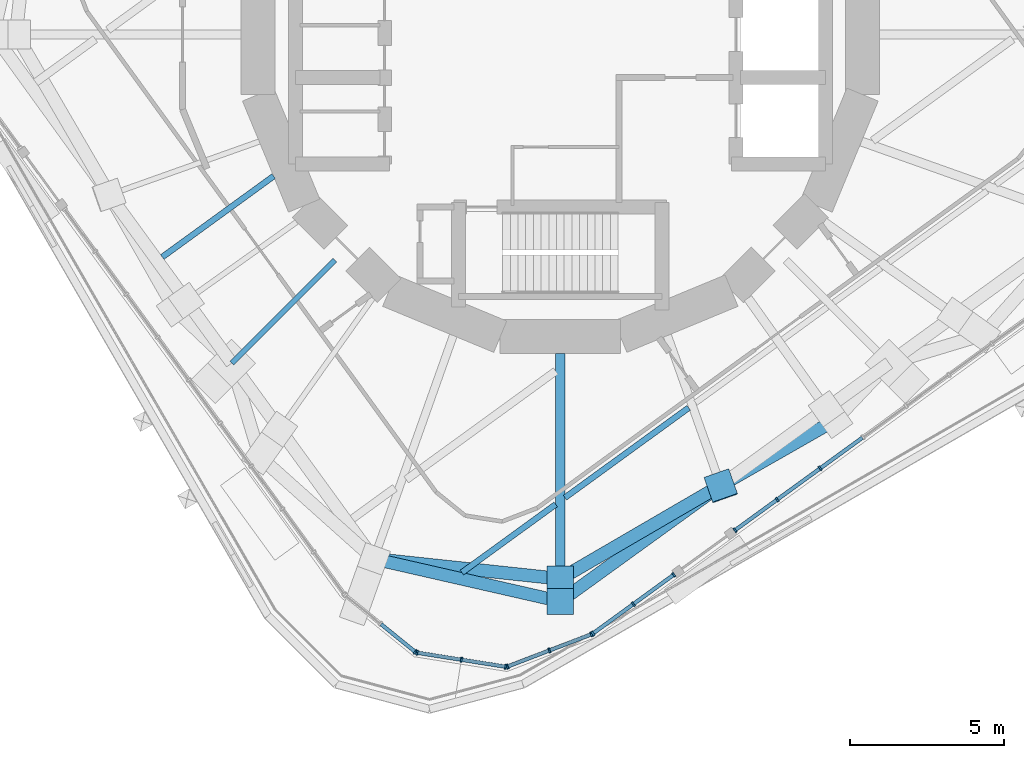
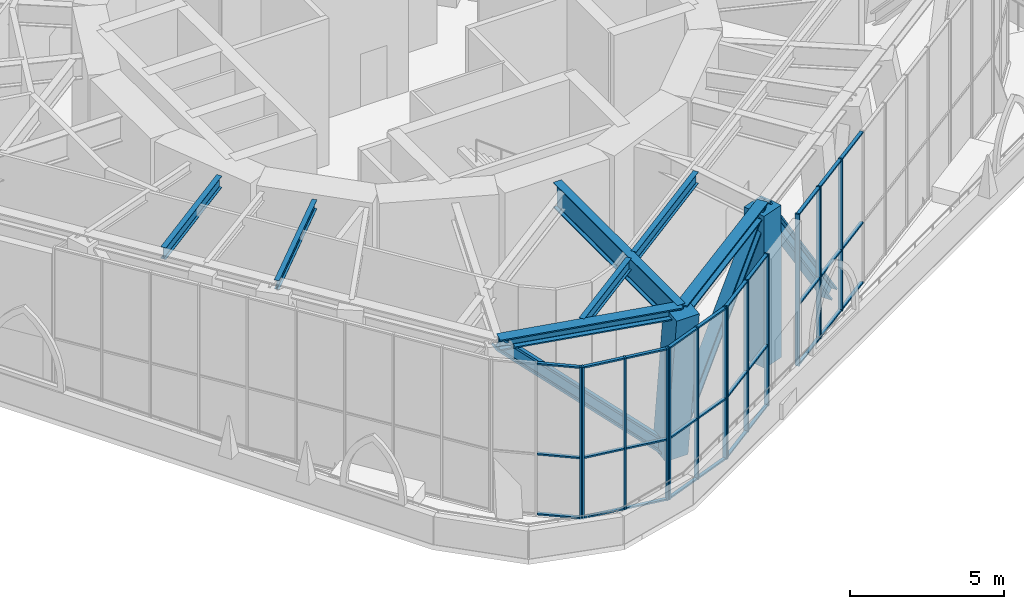
# One storey, part 2 of 18: 50 members, 5 beams, 5 elements without a shape of their own.
"""IFC4 building model written with IfcOpenShell, lengths in metres."""

from ifc_helpers import new_model, si_unit, direction, frame, origin, origin_2d, place, context, subcontext, project, spatial, rectangle, i_section, extrude, material, material_profile, profile_set, type_object, element, aggregate, save


model = new_model("IFC4")

# Units and contexts
model_context = context("Model", 3, precision=1e-05, world=origin(), true_north=direction((0.0, 1.0)))
body_context = subcontext(model_context, "Body", "Model", "MODEL_VIEW")
ifc_project = project(units=[si_unit("LENGTHUNIT", "METRE"), si_unit("AREAUNIT", "SQUARE_METRE"), si_unit("VOLUMEUNIT", "CUBIC_METRE"), si_unit("PLANEANGLEUNIT", "RADIAN"), si_unit("MASSUNIT", "GRAM", prefix="KILO")], contexts=[model_context])

# Site, building, storey
site_placement = place(None, origin())
site = spatial("IfcSite", under=ifc_project, at=site_placement, CompositionType="ELEMENT")
building_placement = place(site_placement, origin())
building = spatial("IfcBuilding", under=site, at=building_placement, Name="Nakasero Lantern House", CompositionType="ELEMENT")
storey_placement = place(building_placement, frame((0.0, 0.0, 257.75)))
storey = spatial("IfcBuildingStorey", under=building, at=storey_placement, Name="L63", CompositionType="ELEMENT", Elevation=257.75)

# Members
ifc_material_1 = material(Name="Steel S355", Category="steel")
ifc_material_profile_1 = material_profile(ifc_material_1, i_section(OverallWidth=0.406982421875, OverallDepth=0.4189453125, WebThickness=0.030517578125, FlangeThickness=0.04931640625, FilletRadius=0.01513671875, at=origin_2d()), Name="UC 356x406x393")
ifc_profile_set_1 = profile_set([ifc_material_profile_1], Name="Steel S355")
member_type_1 = type_object("IfcMemberType", Name="Belt truss chord UC 356x406x393", PredefinedType="CHORD", material=ifc_profile_set_1)
member_1_placement = place(storey_placement, frame((-6.051513671875, -17.02001953125, 5.590576171875), z_axis=(0.974974575944, -0.222316387753, 0.0), x_axis=(0.222316387753, 0.974974575944, 0.0)))
element("IfcMember", 1, at=member_1_placement, inside=storey, type_object=member_type_1, Name="Belt truss top chord T6 B7-C20T", PredefinedType="CHORD", context=body_context, shape_type="SweptSolid", body=[
    extrude(i_section(OverallWidth=0.406982421875, OverallDepth=0.4189453125, WebThickness=0.030517578125, FlangeThickness=0.04931640625, FilletRadius=0.01513671875, at=origin_2d()), origin(), (0.0, 0.0, 1.0), 6.206787109375),
])
member_2_placement = place(storey_placement, frame((0.0, -18.39990234375, 5.590576171875), z_axis=(0.810316200404, 0.58599287996, 0.0), x_axis=(-0.58599287996, 0.810316200404, 0.0)))
element("IfcMember", 2, at=member_2_placement, inside=storey, type_object=member_type_1, Name="Belt truss top chord T6 B7-C21T", PredefinedType="CHORD", context=body_context, shape_type="SweptSolid", body=[
    extrude(i_section(OverallWidth=0.406982421875, OverallDepth=0.4189453125, WebThickness=0.030517578125, FlangeThickness=0.04931640625, FilletRadius=0.01513671875, at=origin_2d()), origin(), (0.0, 0.0, 1.0), 6.42236328125),
])
ifc_material_2 = material(Name="Steel S355", Category="steel")
ifc_material_profile_2 = material_profile(ifc_material_2, i_section(OverallWidth=0.41845703125, OverallDepth=0.45556640625, WebThickness=0.0419921875, FlangeThickness=0.0673828125, FilletRadius=0.01513671875, at=origin_2d()), Name="UC 356x406x551")
ifc_profile_set_2 = profile_set([ifc_material_profile_2], Name="Steel S355")
member_type_2 = type_object("IfcMemberType", Name="Belt truss diagonal UC 356x406x551", PredefinedType="BRACE", material=ifc_profile_set_2)
member_3_placement = place(storey_placement, frame((-6.051513671875, -17.02001953125, 5.590576171875), z_axis=(0.708085084226, -0.075701999968, -0.702057491021), x_axis=(0.106305076727, 0.994333561066, 0.0)))
element("IfcMember", 3, at=member_3_placement, inside=storey, type_object=member_type_2, Name="Belt truss diagonal T6-20", PredefinedType="BRACE", context=body_context, shape_type="SweptSolid", body=[
    extrude(i_section(OverallWidth=0.41845703125, OverallDepth=0.45556640625, WebThickness=0.0419921875, FlangeThickness=0.0673828125, FilletRadius=0.01513671875, at=origin_2d()), origin(), (0.0, 0.0, 1.0), 8.54638671875),
])
member_4_placement = place(storey_placement, frame((0.0, -17.6669921875, -0.409423828125), z_axis=(0.612176455145, 0.356490257915, 0.705800739428), x_axis=(-0.503225602442, 0.864155074652, 0.0)))
element("IfcMember", 4, at=member_4_placement, inside=storey, type_object=member_type_2, Name="Belt truss diagonal T6-21", PredefinedType="BRACE", context=body_context, shape_type="SweptSolid", body=[
    extrude(i_section(OverallWidth=0.41845703125, OverallDepth=0.45556640625, WebThickness=0.0419921875, FlangeThickness=0.0673828125, FilletRadius=0.01513671875, at=origin_2d()), origin(), (0.0, 0.0, 1.0), 8.5009765625),
])
member_5_placement = place(storey_placement, frame((5.2041015625, -14.636474609375, 5.590576171875), z_axis=(0.503052316846, 0.286937193585, -0.815233349081), x_axis=(-0.495460255243, 0.868630609336, 0.0)))
element("IfcMember", 5, at=member_5_placement, inside=storey, type_object=member_type_2, Name="Belt truss diagonal T6-22", PredefinedType="BRACE", context=body_context, shape_type="SweptSolid", body=[
    extrude(i_section(OverallWidth=0.41845703125, OverallDepth=0.45556640625, WebThickness=0.0419921875, FlangeThickness=0.0673828125, FilletRadius=0.01513671875, at=origin_2d()), origin(), (0.0, 0.0, 1.0), 7.35986328125),
])

# Beams
ifc_material_3 = material(Name="Steel S355", Category="steel")
ifc_material_profile_3 = material_profile(ifc_material_3, i_section(OverallWidth=0.19140625, OverallDepth=0.4599609375, WebThickness=0.010009765625, FlangeThickness=0.01611328125, FilletRadius=0.01025390625, at=origin_2d()), Name="UB 457x191x82")
ifc_profile_set_3 = profile_set([ifc_material_profile_3], Name="Steel S355")
beam_type_1 = type_object("IfcBeamType", Name="Infill beam UB 457x191x82", PredefinedType="JOIST", material=ifc_profile_set_3)
beam_1_placement = place(storey_placement, frame((-3.194580078125, -17.462890625, 5.570068359375), z_axis=(0.809008105929, 0.587797485994, 0.0), x_axis=(-0.587797485994, 0.809008105929, 0.0)))
element("IfcBeam", 6, at=beam_1_placement, inside=storey, type_object=beam_type_1, Name="Infill beam L64 03.1", PredefinedType="JOIST", context=body_context, shape_type="SweptSolid", body=[
    extrude(i_section(OverallWidth=0.19140625, OverallDepth=0.4599609375, WebThickness=0.010009765625, FlangeThickness=0.01611328125, FilletRadius=0.01025390625, at=origin_2d()), origin(), (0.0, 0.0, 1.0), 3.763427734375),
])
beam_2_placement = place(storey_placement, frame((0.14990234375, -15.032958984375, 5.570068359375), z_axis=(0.809008214696, 0.587797336294, 0.0), x_axis=(-0.587797336294, 0.809008214696, 0.0)))
element("IfcBeam", 7, at=beam_2_placement, inside=storey, type_object=beam_type_1, Name="Infill beam L64 03.2", PredefinedType="JOIST", context=body_context, shape_type="SweptSolid", body=[
    extrude(i_section(OverallWidth=0.19140625, OverallDepth=0.4599609375, WebThickness=0.010009765625, FlangeThickness=0.01611328125, FilletRadius=0.01025390625, at=origin_2d()), origin(), (0.0, 0.0, 1.0), 4.96435546875),
])
beam_3_placement = place(storey_placement, frame((-12.91845703125, -7.22265625, 5.570068359375), z_axis=(0.809022109162, 0.587778212327, 0.0), x_axis=(-0.587778212327, 0.809022109162, 0.0)))
element("IfcBeam", 8, at=beam_3_placement, inside=storey, type_object=beam_type_1, Name="Infill beam L64 07.1", PredefinedType="JOIST", context=body_context, shape_type="SweptSolid", body=[
    extrude(i_section(OverallWidth=0.19140625, OverallDepth=0.4599609375, WebThickness=0.010009765625, FlangeThickness=0.01611328125, FilletRadius=0.01025390625, at=origin_2d()), origin(), (0.0, 0.0, 1.0), 4.46484375),
])

# Curtain wall, member
ifc_material_4 = material(Name="Aluminium 6063-T6 and glass", Category="aluminium")
curtain_wall_type = type_object("IfcCurtainWallType", Name="Sky lounge glazing CW-3", PredefinedType="USERDEFINED", material=ifc_material_4)
curtain_wall_1_placement = place(storey_placement, origin())
curtain_wall_1 = element("IfcCurtainWall", 9, at=curtain_wall_1_placement, inside=storey, type_object=curtain_wall_type, Name="Curtain wall CW-3 L63", ObjectType="STICK CURTAIN WALL", PredefinedType="USERDEFINED")
ifc_material_5 = material(Name="Aluminium 6063-T6", Category="aluminium")
ifc_material_profile_4 = material_profile(ifc_material_5, rectangle(XDim=0.06005859375, YDim=0.159912109375, at=origin_2d()), Name="CW-3 mullion 60x160")
ifc_profile_set_4 = profile_set([ifc_material_profile_4], Name="Aluminium 6063-T6")
member_type_3 = type_object("IfcMemberType", Name="Mullion CW-3", PredefinedType="MULLION", material=ifc_profile_set_4)
member_6_placement = place(storey_placement, frame((-4.70703125, -20.0400390625, 0.0), z_axis=(0.0, 0.0, 1.0), x_axis=(0.777145961457, -0.62932039105, 0.0)))
member_6 = element("IfcMember", 10, at=member_6_placement, type_object=member_type_3, Name="CW-3 mullion 3", PredefinedType="MULLION", context=body_context, shape_type="SweptSolid", body=[
    extrude(rectangle(XDim=0.06005859375, YDim=0.159912109375, at=origin_2d()), origin(), (0.0, 0.0, 1.0), 6.0),
])

# Curtain wall, members
curtain_wall_2_placement = place(storey_placement, origin())
curtain_wall_2 = element("IfcCurtainWall", 11, at=curtain_wall_2_placement, inside=storey, type_object=curtain_wall_type, Name="Curtain wall CW-3 L63", ObjectType="STICK CURTAIN WALL", PredefinedType="USERDEFINED")
member_7_placement = place(storey_placement, frame((-4.654052734375, -20.063720703125, 0.0), z_axis=(0.0, 0.0, 1.0), x_axis=(0.987688340595, -0.15643446504, 0.0)))
member_7 = element("IfcMember", 12, at=member_7_placement, type_object=member_type_3, Name="CW-3 mullion 1", PredefinedType="MULLION", context=body_context, shape_type="SweptSolid", body=[
    extrude(rectangle(XDim=0.06005859375, YDim=0.159912109375, at=origin_2d()), origin(), (0.0, 0.0, 1.0), 6.0),
])
member_8_placement = place(storey_placement, frame((-3.2138671875, -20.291748046875, 0.0), z_axis=(0.0, 0.0, 1.0), x_axis=(0.987688340595, -0.15643446504, 0.0)))
member_8 = element("IfcMember", 13, at=member_8_placement, type_object=member_type_3, Name="CW-3 mullion 2", PredefinedType="MULLION", context=body_context, shape_type="SweptSolid", body=[
    extrude(rectangle(XDim=0.06005859375, YDim=0.159912109375, at=origin_2d()), origin(), (0.0, 0.0, 1.0), 6.0),
])
member_9_placement = place(storey_placement, frame((-1.773681640625, -20.52001953125, 0.0), z_axis=(0.0, 0.0, 1.0), x_axis=(0.987688340595, -0.15643446504, 0.0)))
member_9 = element("IfcMember", 14, at=member_9_placement, type_object=member_type_3, Name="CW-3 mullion 3", PredefinedType="MULLION", context=body_context, shape_type="SweptSolid", body=[
    extrude(rectangle(XDim=0.06005859375, YDim=0.159912109375, at=origin_2d()), origin(), (0.0, 0.0, 1.0), 6.0),
])

curtain_wall_3_placement = place(storey_placement, origin())
curtain_wall_3 = element("IfcCurtainWall", 15, at=curtain_wall_3_placement, inside=storey, type_object=curtain_wall_type, Name="Curtain wall CW-3 L63", ObjectType="STICK CURTAIN WALL", PredefinedType="USERDEFINED")
member_10_placement = place(storey_placement, frame((-1.716064453125, -20.513916015625, 0.0), z_axis=(0.0, 0.0, 1.0), x_axis=(0.933580426497, 0.358367949545, 0.0)))
member_10 = element("IfcMember", 16, at=member_10_placement, type_object=member_type_3, Name="CW-3 mullion 1", PredefinedType="MULLION", context=body_context, shape_type="SweptSolid", body=[
    extrude(rectangle(XDim=0.06005859375, YDim=0.159912109375, at=origin_2d()), origin(), (0.0, 0.0, 1.0), 6.0),
])
member_11_placement = place(storey_placement, frame((-0.354736328125, -19.9912109375, 0.0), z_axis=(0.0, 0.0, 1.0), x_axis=(0.933580426497, 0.358367949545, 0.0)))
member_11 = element("IfcMember", 17, at=member_11_placement, type_object=member_type_3, Name="CW-3 mullion 2", PredefinedType="MULLION", context=body_context, shape_type="SweptSolid", body=[
    extrude(rectangle(XDim=0.06005859375, YDim=0.159912109375, at=origin_2d()), origin(), (0.0, 0.0, 1.0), 6.0),
])
member_12_placement = place(storey_placement, frame((1.006591796875, -19.46875, 0.0), z_axis=(0.0, 0.0, 1.0), x_axis=(0.933580426497, 0.358367949545, 0.0)))
member_12 = element("IfcMember", 18, at=member_12_placement, type_object=member_type_3, Name="CW-3 mullion 3", PredefinedType="MULLION", context=body_context, shape_type="SweptSolid", body=[
    extrude(rectangle(XDim=0.06005859375, YDim=0.159912109375, at=origin_2d()), origin(), (0.0, 0.0, 1.0), 6.0),
])

curtain_wall_4_placement = place(storey_placement, origin())
curtain_wall_4 = element("IfcCurtainWall", 19, at=curtain_wall_4_placement, inside=storey, type_object=curtain_wall_type, Name="Curtain wall CW-3 L63", ObjectType="STICK CURTAIN WALL", PredefinedType="USERDEFINED")
member_13_placement = place(storey_placement, frame((1.05908203125, -19.4404296875, 0.0), z_axis=(0.0, 0.0, 1.0), x_axis=(0.809016994375, 0.587785252292, 0.0)))
member_13 = element("IfcMember", 20, at=member_13_placement, type_object=member_type_3, Name="CW-3 mullion 1", PredefinedType="MULLION", context=body_context, shape_type="SweptSolid", body=[
    extrude(rectangle(XDim=0.06005859375, YDim=0.159912109375, at=origin_2d()), origin(), (0.0, 0.0, 1.0), 6.0),
])
member_14_placement = place(storey_placement, frame((2.36962890625, -18.488037109375, 0.0), z_axis=(0.0, 0.0, 1.0), x_axis=(0.809016994375, 0.587785252292, 0.0)))
member_14 = element("IfcMember", 21, at=member_14_placement, type_object=member_type_3, Name="CW-3 mullion 2", PredefinedType="MULLION", context=body_context, shape_type="SweptSolid", body=[
    extrude(rectangle(XDim=0.06005859375, YDim=0.159912109375, at=origin_2d()), origin(), (0.0, 0.0, 1.0), 6.0),
])
member_15_placement = place(storey_placement, frame((3.68017578125, -17.535888671875, 0.0), z_axis=(0.0, 0.0, 1.0), x_axis=(0.809016994375, 0.587785252292, 0.0)))
member_15 = element("IfcMember", 22, at=member_15_placement, type_object=member_type_3, Name="CW-3 mullion 3", PredefinedType="MULLION", context=body_context, shape_type="SweptSolid", body=[
    extrude(rectangle(XDim=0.06005859375, YDim=0.159912109375, at=origin_2d()), origin(), (0.0, 0.0, 1.0), 6.0),
])

curtain_wall_5_placement = place(storey_placement, origin())
curtain_wall_5 = element("IfcCurtainWall", 23, at=curtain_wall_5_placement, inside=storey, type_object=curtain_wall_type, Name="Curtain wall CW-3 L63", ObjectType="STICK CURTAIN WALL", PredefinedType="USERDEFINED")
member_16_placement = place(storey_placement, frame((5.67041015625, -16.08984375, 0.0), z_axis=(0.0, 0.0, 1.0), x_axis=(0.809016994375, 0.587785252292, 0.0)))
member_16 = element("IfcMember", 24, at=member_16_placement, type_object=member_type_3, Name="CW-3 mullion 1", PredefinedType="MULLION", context=body_context, shape_type="SweptSolid", body=[
    extrude(rectangle(XDim=0.06005859375, YDim=0.159912109375, at=origin_2d()), origin(), (0.0, 0.0, 1.0), 6.0),
])
member_17_placement = place(storey_placement, frame((7.039306640625, -15.09521484375, 0.0), z_axis=(0.0, 0.0, 1.0), x_axis=(0.809016994375, 0.587785252292, 0.0)))
member_17 = element("IfcMember", 25, at=member_17_placement, type_object=member_type_3, Name="CW-3 mullion 2", PredefinedType="MULLION", context=body_context, shape_type="SweptSolid", body=[
    extrude(rectangle(XDim=0.06005859375, YDim=0.159912109375, at=origin_2d()), origin(), (0.0, 0.0, 1.0), 6.0),
])
member_18_placement = place(storey_placement, frame((8.4326171875, -14.0830078125, 0.0), z_axis=(0.0, 0.0, 1.0), x_axis=(0.809016994375, 0.587785252292, 0.0)))
member_18 = element("IfcMember", 26, at=member_18_placement, type_object=member_type_3, Name="CW-3 mullion 3", PredefinedType="MULLION", context=body_context, shape_type="SweptSolid", body=[
    extrude(rectangle(XDim=0.06005859375, YDim=0.159912109375, at=origin_2d()), origin(), (0.0, 0.0, 1.0), 6.0),
])

# Beams
ifc_material_6 = material(Name="Steel S355", Category="steel")
ifc_material_profile_5 = material_profile(ifc_material_6, i_section(OverallWidth=0.300048828125, OverallDepth=1.0, WebThickness=0.01904296875, FlangeThickness=0.035888671875, FilletRadius=0.030029296875, at=origin_2d()), Name="UB 1016x305x314")
ifc_profile_set_5 = profile_set([ifc_material_profile_5], Name="Steel S355")
beam_type_2 = type_object("IfcBeamType", Name="Primary beam UB 1016x305x314, span 6 to 9 m", PredefinedType="BEAM", material=ifc_profile_set_5)
beam_4_placement = place(storey_placement, frame((0.0, -18.39990234375, 5.300048828125), z_axis=(0.0, 1.0, 0.0), x_axis=(-1.0, 0.0, 0.0)))
element("IfcBeam", 27, at=beam_4_placement, inside=storey, type_object=beam_type_2, Name="Primary beam L64 B7-C21T", PredefinedType="BEAM", context=body_context, shape_type="SweptSolid", body=[
    extrude(i_section(OverallWidth=0.300048828125, OverallDepth=1.0, WebThickness=0.01904296875, FlangeThickness=0.035888671875, FilletRadius=0.030029296875, at=origin_2d()), origin(), (0.0, 0.0, 1.0), 8.0419921875),
])
ifc_material_7 = material(Name="Steel S355", Category="steel")
ifc_material_profile_6 = material_profile(ifc_material_7, i_section(OverallWidth=0.17138671875, OverallDepth=0.35498046875, WebThickness=0.00732421875, FlangeThickness=0.011474609375, FilletRadius=0.01025390625, at=origin_2d()), Name="UB 356x171x51")
ifc_profile_set_6 = profile_set([ifc_material_profile_6], Name="Steel S355")
beam_type_3 = type_object("IfcBeamType", Name="Primary beam UB 356x171x51, span to 6 m", PredefinedType="BEAM", material=ifc_profile_set_6)
beam_5_placement = place(storey_placement, frame((-10.667236328125, -10.667236328125, 5.62255859375), z_axis=(0.707106781187, 0.707106781187, 0.0), x_axis=(-0.707106781187, 0.707106781187, 0.0)))
element("IfcBeam", 28, at=beam_5_placement, inside=storey, type_object=beam_type_3, Name="Primary beam L64 B7-C18T", PredefinedType="BEAM", context=body_context, shape_type="SweptSolid", body=[
    extrude(i_section(OverallWidth=0.17138671875, OverallDepth=0.35498046875, WebThickness=0.00732421875, FlangeThickness=0.011474609375, FilletRadius=0.01025390625, at=origin_2d()), origin(), (0.0, 0.0, 1.0), 4.727783203125),
])

# Members
ifc_material_8 = material(Name="Concrete C45/55", Category="concrete")
ifc_material_profile_7 = material_profile(ifc_material_8, rectangle(XDim=0.85009765625, YDim=0.85009765625, at=origin_2d()), Name="RC 850x850")
ifc_profile_set_7 = profile_set([ifc_material_profile_7], Name="Concrete C45/55")
member_type_4 = type_object("IfcMemberType", Name="Raking column RC 850x850 C45/55", PredefinedType="STRUT", material=ifc_profile_set_7)
member_19_placement = place(storey_placement, frame((0.0, -17.6669921875, -0.409423828125), z_axis=(0.0, -0.121250450952, 0.992621946233), x_axis=(1.0, 0.0, 0.0)))
element("IfcMember", 29, at=member_19_placement, inside=storey, type_object=member_type_4, Name="Raking column B7-C21T L63", PredefinedType="STRUT", context=body_context, shape_type="SweptSolid", body=[
    extrude(rectangle(XDim=0.85009765625, YDim=0.85009765625, at=origin_2d()), origin(), (0.0, 0.0, 1.0), 6.044677734375),
])
member_20_placement = place(storey_placement, frame((5.211669921875, -14.657958984375, -0.409423828125), z_axis=(-0.001261384139, 0.003580703363, 0.999992793711), x_axis=(-0.943188038542, -0.332259422668, 0.0)))
element("IfcMember", 30, at=member_20_placement, inside=storey, type_object=member_type_4, Name="Raking column B7-C22T L63", PredefinedType="STRUT", context=body_context, shape_type="SweptSolid", body=[
    extrude(rectangle(XDim=0.85009765625, YDim=0.85009765625, at=origin_2d()), origin(), (0.0, 0.0, 1.0), 6.0),
])

# Member
ifc_material_9 = material(Name="Aluminium 6063-T6", Category="aluminium")
ifc_material_profile_8 = material_profile(ifc_material_9, rectangle(XDim=0.06005859375, YDim=0.1201171875, at=origin_2d()), Name="CW-3 transom 60x120")
ifc_profile_set_8 = profile_set([ifc_material_profile_8], Name="Aluminium 6063-T6")
member_type_5 = type_object("IfcMemberType", Name="Transom CW-3", PredefinedType="USERDEFINED", material=ifc_profile_set_8)
member_21_placement = place(storey_placement, frame((-5.817138671875, -19.141357421875, 0.030029296875), z_axis=(0.777175740781, -0.629283614868, 0.0), x_axis=(0.0, 0.0, 1.0)))
member_21 = element("IfcMember", 31, at=member_21_placement, type_object=member_type_5, Name="CW-3 transom 2.1", ObjectType="TRANSOM", PredefinedType="USERDEFINED", context=body_context, shape_type="SweptSolid", body=[
    extrude(rectangle(XDim=0.06005859375, YDim=0.1201171875, at=origin_2d()), origin(), (0.0, 0.0, 1.0), 1.398193359375),
])

member_22_placement = place(storey_placement, frame((-5.817138671875, -19.141357421875, 2.39990234375), z_axis=(0.777175740781, -0.629283614868, 0.0), x_axis=(0.0, 0.0, 1.0)))
member_22 = element("IfcMember", 32, at=member_22_placement, type_object=member_type_5, Name="CW-3 transom 2.2", ObjectType="TRANSOM", PredefinedType="USERDEFINED", context=body_context, shape_type="SweptSolid", body=[
    extrude(rectangle(XDim=0.06005859375, YDim=0.1201171875, at=origin_2d()), origin(), (0.0, 0.0, 1.0), 1.398193359375),
])

member_23_placement = place(storey_placement, frame((-5.817138671875, -19.141357421875, 5.969970703125), z_axis=(0.777175740781, -0.629283614868, 0.0), x_axis=(0.0, 0.0, 1.0)))
member_23 = element("IfcMember", 33, at=member_23_placement, type_object=member_type_5, Name="CW-3 transom 2.3", ObjectType="TRANSOM", PredefinedType="USERDEFINED", context=body_context, shape_type="SweptSolid", body=[
    extrude(rectangle(XDim=0.06005859375, YDim=0.1201171875, at=origin_2d()), origin(), (0.0, 0.0, 1.0), 1.398193359375),
])

aggregate(curtain_wall_1, [member_6, member_21, member_22, member_23])

member_24_placement = place(storey_placement, frame((-4.62451171875, -20.068359375, 0.030029296875), z_axis=(0.987683548127, -0.156464720495, 0.0), x_axis=(0.0, 0.0, 1.0)))
member_24 = element("IfcMember", 34, at=member_24_placement, type_object=member_type_5, Name="CW-3 transom 1.1", ObjectType="TRANSOM", PredefinedType="USERDEFINED", context=body_context, shape_type="SweptSolid", body=[
    extrude(rectangle(XDim=0.06005859375, YDim=0.1201171875, at=origin_2d()), origin(), (0.0, 0.0, 1.0), 1.398193359375),
])

member_25_placement = place(storey_placement, frame((-4.62451171875, -20.068359375, 2.39990234375), z_axis=(0.987683548127, -0.156464720495, 0.0), x_axis=(0.0, 0.0, 1.0)))
member_25 = element("IfcMember", 35, at=member_25_placement, type_object=member_type_5, Name="CW-3 transom 1.2", ObjectType="TRANSOM", PredefinedType="USERDEFINED", context=body_context, shape_type="SweptSolid", body=[
    extrude(rectangle(XDim=0.06005859375, YDim=0.1201171875, at=origin_2d()), origin(), (0.0, 0.0, 1.0), 1.398193359375),
])

member_26_placement = place(storey_placement, frame((-4.62451171875, -20.068359375, 5.969970703125), z_axis=(0.987683548127, -0.156464720495, 0.0), x_axis=(0.0, 0.0, 1.0)))
member_26 = element("IfcMember", 36, at=member_26_placement, type_object=member_type_5, Name="CW-3 transom 1.3", ObjectType="TRANSOM", PredefinedType="USERDEFINED", context=body_context, shape_type="SweptSolid", body=[
    extrude(rectangle(XDim=0.06005859375, YDim=0.1201171875, at=origin_2d()), origin(), (0.0, 0.0, 1.0), 1.398193359375),
])

member_27_placement = place(storey_placement, frame((-3.184326171875, -20.29638671875, 0.030029296875), z_axis=(0.987687822072, -0.156437738833, 0.0), x_axis=(0.0, 0.0, 1.0)))
member_27 = element("IfcMember", 37, at=member_27_placement, type_object=member_type_5, Name="CW-3 transom 2.1", ObjectType="TRANSOM", PredefinedType="USERDEFINED", context=body_context, shape_type="SweptSolid", body=[
    extrude(rectangle(XDim=0.06005859375, YDim=0.1201171875, at=origin_2d()), origin(), (0.0, 0.0, 1.0), 1.3984375),
])

member_28_placement = place(storey_placement, frame((-3.184326171875, -20.29638671875, 2.39990234375), z_axis=(0.987687822072, -0.156437738833, 0.0), x_axis=(0.0, 0.0, 1.0)))
member_28 = element("IfcMember", 38, at=member_28_placement, type_object=member_type_5, Name="CW-3 transom 2.2", ObjectType="TRANSOM", PredefinedType="USERDEFINED", context=body_context, shape_type="SweptSolid", body=[
    extrude(rectangle(XDim=0.06005859375, YDim=0.1201171875, at=origin_2d()), origin(), (0.0, 0.0, 1.0), 1.3984375),
])

member_29_placement = place(storey_placement, frame((-3.184326171875, -20.29638671875, 5.969970703125), z_axis=(0.987687822072, -0.156437738833, 0.0), x_axis=(0.0, 0.0, 1.0)))
member_29 = element("IfcMember", 39, at=member_29_placement, type_object=member_type_5, Name="CW-3 transom 2.3", ObjectType="TRANSOM", PredefinedType="USERDEFINED", context=body_context, shape_type="SweptSolid", body=[
    extrude(rectangle(XDim=0.06005859375, YDim=0.1201171875, at=origin_2d()), origin(), (0.0, 0.0, 1.0), 1.3984375),
])

aggregate(curtain_wall_2, [member_7, member_8, member_9, member_24, member_25, member_26, member_27, member_28, member_29])

member_30_placement = place(storey_placement, frame((-1.68798828125, -20.503173828125, 0.030029296875), z_axis=(0.933552443557, 0.358440839092, 0.0), x_axis=(0.0, 0.0, 1.0)))
member_30 = element("IfcMember", 40, at=member_30_placement, type_object=member_type_5, Name="CW-3 transom 1.1", ObjectType="TRANSOM", PredefinedType="USERDEFINED", context=body_context, shape_type="SweptSolid", body=[
    extrude(rectangle(XDim=0.06005859375, YDim=0.1201171875, at=origin_2d()), origin(), (0.0, 0.0, 1.0), 1.3984375),
])

member_31_placement = place(storey_placement, frame((-1.68798828125, -20.503173828125, 2.39990234375), z_axis=(0.933552443557, 0.358440839092, 0.0), x_axis=(0.0, 0.0, 1.0)))
member_31 = element("IfcMember", 41, at=member_31_placement, type_object=member_type_5, Name="CW-3 transom 1.2", ObjectType="TRANSOM", PredefinedType="USERDEFINED", context=body_context, shape_type="SweptSolid", body=[
    extrude(rectangle(XDim=0.06005859375, YDim=0.1201171875, at=origin_2d()), origin(), (0.0, 0.0, 1.0), 1.3984375),
])

member_32_placement = place(storey_placement, frame((-1.68798828125, -20.503173828125, 5.969970703125), z_axis=(0.933552443557, 0.358440839092, 0.0), x_axis=(0.0, 0.0, 1.0)))
member_32 = element("IfcMember", 42, at=member_32_placement, type_object=member_type_5, Name="CW-3 transom 1.3", ObjectType="TRANSOM", PredefinedType="USERDEFINED", context=body_context, shape_type="SweptSolid", body=[
    extrude(rectangle(XDim=0.06005859375, YDim=0.1201171875, at=origin_2d()), origin(), (0.0, 0.0, 1.0), 1.3984375),
])

member_33_placement = place(storey_placement, frame((-0.32666015625, -19.98046875, 0.030029296875), z_axis=(0.93361085793, 0.35828866289, 0.0), x_axis=(0.0, 0.0, 1.0)))
member_33 = element("IfcMember", 43, at=member_33_placement, type_object=member_type_5, Name="CW-3 transom 2.1", ObjectType="TRANSOM", PredefinedType="USERDEFINED", context=body_context, shape_type="SweptSolid", body=[
    extrude(rectangle(XDim=0.06005859375, YDim=0.1201171875, at=origin_2d()), origin(), (0.0, 0.0, 1.0), 1.398193359375),
])

member_34_placement = place(storey_placement, frame((-0.32666015625, -19.98046875, 2.39990234375), z_axis=(0.93361085793, 0.35828866289, 0.0), x_axis=(0.0, 0.0, 1.0)))
member_34 = element("IfcMember", 44, at=member_34_placement, type_object=member_type_5, Name="CW-3 transom 2.2", ObjectType="TRANSOM", PredefinedType="USERDEFINED", context=body_context, shape_type="SweptSolid", body=[
    extrude(rectangle(XDim=0.06005859375, YDim=0.1201171875, at=origin_2d()), origin(), (0.0, 0.0, 1.0), 1.398193359375),
])

member_35_placement = place(storey_placement, frame((-0.32666015625, -19.98046875, 5.969970703125), z_axis=(0.93361085793, 0.35828866289, 0.0), x_axis=(0.0, 0.0, 1.0)))
member_35 = element("IfcMember", 45, at=member_35_placement, type_object=member_type_5, Name="CW-3 transom 2.3", ObjectType="TRANSOM", PredefinedType="USERDEFINED", context=body_context, shape_type="SweptSolid", body=[
    extrude(rectangle(XDim=0.06005859375, YDim=0.1201171875, at=origin_2d()), origin(), (0.0, 0.0, 1.0), 1.398193359375),
])

aggregate(curtain_wall_3, [member_10, member_11, member_12, member_30, member_31, member_32, member_33, member_34, member_35])

member_36_placement = place(storey_placement, frame((1.083251953125, -19.422607421875, 0.030029296875), z_axis=(0.809054083205, 0.58773420051, 0.0), x_axis=(0.0, 0.0, 1.0)))
member_36 = element("IfcMember", 46, at=member_36_placement, type_object=member_type_5, Name="CW-3 transom 1.1", ObjectType="TRANSOM", PredefinedType="USERDEFINED", context=body_context, shape_type="SweptSolid", body=[
    extrude(rectangle(XDim=0.06005859375, YDim=0.1201171875, at=origin_2d()), origin(), (0.0, 0.0, 1.0), 1.559814453125),
])

member_37_placement = place(storey_placement, frame((1.083251953125, -19.422607421875, 2.39990234375), z_axis=(0.809054083205, 0.58773420051, 0.0), x_axis=(0.0, 0.0, 1.0)))
member_37 = element("IfcMember", 47, at=member_37_placement, type_object=member_type_5, Name="CW-3 transom 1.2", ObjectType="TRANSOM", PredefinedType="USERDEFINED", context=body_context, shape_type="SweptSolid", body=[
    extrude(rectangle(XDim=0.06005859375, YDim=0.1201171875, at=origin_2d()), origin(), (0.0, 0.0, 1.0), 1.559814453125),
])

member_38_placement = place(storey_placement, frame((1.083251953125, -19.422607421875, 5.969970703125), z_axis=(0.809054083205, 0.58773420051, 0.0), x_axis=(0.0, 0.0, 1.0)))
member_38 = element("IfcMember", 48, at=member_38_placement, type_object=member_type_5, Name="CW-3 transom 1.3", ObjectType="TRANSOM", PredefinedType="USERDEFINED", context=body_context, shape_type="SweptSolid", body=[
    extrude(rectangle(XDim=0.06005859375, YDim=0.1201171875, at=origin_2d()), origin(), (0.0, 0.0, 1.0), 1.559814453125),
])

member_39_placement = place(storey_placement, frame((2.393798828125, -18.470458984375, 0.030029296875), z_axis=(0.809033727421, 0.587762220541, 0.0), x_axis=(0.0, 0.0, 1.0)))
member_39 = element("IfcMember", 49, at=member_39_placement, type_object=member_type_5, Name="CW-3 transom 2.1", ObjectType="TRANSOM", PredefinedType="USERDEFINED", context=body_context, shape_type="SweptSolid", body=[
    extrude(rectangle(XDim=0.06005859375, YDim=0.1201171875, at=origin_2d()), origin(), (0.0, 0.0, 1.0), 1.56005859375),
])

member_40_placement = place(storey_placement, frame((2.393798828125, -18.470458984375, 2.39990234375), z_axis=(0.809033727421, 0.587762220541, 0.0), x_axis=(0.0, 0.0, 1.0)))
member_40 = element("IfcMember", 50, at=member_40_placement, type_object=member_type_5, Name="CW-3 transom 2.2", ObjectType="TRANSOM", PredefinedType="USERDEFINED", context=body_context, shape_type="SweptSolid", body=[
    extrude(rectangle(XDim=0.06005859375, YDim=0.1201171875, at=origin_2d()), origin(), (0.0, 0.0, 1.0), 1.56005859375),
])

member_41_placement = place(storey_placement, frame((2.393798828125, -18.470458984375, 5.969970703125), z_axis=(0.809033727421, 0.587762220541, 0.0), x_axis=(0.0, 0.0, 1.0)))
member_41 = element("IfcMember", 51, at=member_41_placement, type_object=member_type_5, Name="CW-3 transom 2.3", ObjectType="TRANSOM", PredefinedType="USERDEFINED", context=body_context, shape_type="SweptSolid", body=[
    extrude(rectangle(XDim=0.06005859375, YDim=0.1201171875, at=origin_2d()), origin(), (0.0, 0.0, 1.0), 1.56005859375),
])

aggregate(curtain_wall_4, [member_13, member_14, member_15, member_36, member_37, member_38, member_39, member_40, member_41])

member_42_placement = place(storey_placement, frame((5.694580078125, -16.072265625, 0.030029296875), z_axis=(0.809007643974, 0.5877981218, 0.0), x_axis=(0.0, 0.0, 1.0)))
member_42 = element("IfcMember", 52, at=member_42_placement, type_object=member_type_5, Name="CW-3 transom 1.1", ObjectType="TRANSOM", PredefinedType="USERDEFINED", context=body_context, shape_type="SweptSolid", body=[
    extrude(rectangle(XDim=0.06005859375, YDim=0.1201171875, at=origin_2d()), origin(), (0.0, 0.0, 1.0), 1.63232421875),
])

member_43_placement = place(storey_placement, frame((5.694580078125, -16.072265625, 2.39990234375), z_axis=(0.809007643974, 0.5877981218, 0.0), x_axis=(0.0, 0.0, 1.0)))
member_43 = element("IfcMember", 53, at=member_43_placement, type_object=member_type_5, Name="CW-3 transom 1.2", ObjectType="TRANSOM", PredefinedType="USERDEFINED", context=body_context, shape_type="SweptSolid", body=[
    extrude(rectangle(XDim=0.06005859375, YDim=0.1201171875, at=origin_2d()), origin(), (0.0, 0.0, 1.0), 1.63232421875),
])

member_44_placement = place(storey_placement, frame((5.694580078125, -16.072265625, 5.969970703125), z_axis=(0.809007643974, 0.5877981218, 0.0), x_axis=(0.0, 0.0, 1.0)))
member_44 = element("IfcMember", 54, at=member_44_placement, type_object=member_type_5, Name="CW-3 transom 1.3", ObjectType="TRANSOM", PredefinedType="USERDEFINED", context=body_context, shape_type="SweptSolid", body=[
    extrude(rectangle(XDim=0.06005859375, YDim=0.1201171875, at=origin_2d()), origin(), (0.0, 0.0, 1.0), 1.63232421875),
])

member_45_placement = place(storey_placement, frame((7.063720703125, -15.07763671875, 0.030029296875), z_axis=(0.809002762913, 0.58780483972, 0.0), x_axis=(0.0, 0.0, 1.0)))
member_45 = element("IfcMember", 55, at=member_45_placement, type_object=member_type_5, Name="CW-3 transom 2.1", ObjectType="TRANSOM", PredefinedType="USERDEFINED", context=body_context, shape_type="SweptSolid", body=[
    extrude(rectangle(XDim=0.06005859375, YDim=0.1201171875, at=origin_2d()), origin(), (0.0, 0.0, 1.0), 1.662109375),
])

member_46_placement = place(storey_placement, frame((7.063720703125, -15.07763671875, 2.39990234375), z_axis=(0.809002762913, 0.58780483972, 0.0), x_axis=(0.0, 0.0, 1.0)))
member_46 = element("IfcMember", 56, at=member_46_placement, type_object=member_type_5, Name="CW-3 transom 2.2", ObjectType="TRANSOM", PredefinedType="USERDEFINED", context=body_context, shape_type="SweptSolid", body=[
    extrude(rectangle(XDim=0.06005859375, YDim=0.1201171875, at=origin_2d()), origin(), (0.0, 0.0, 1.0), 1.662109375),
])

member_47_placement = place(storey_placement, frame((7.063720703125, -15.07763671875, 5.969970703125), z_axis=(0.809002762913, 0.58780483972, 0.0), x_axis=(0.0, 0.0, 1.0)))
member_47 = element("IfcMember", 57, at=member_47_placement, type_object=member_type_5, Name="CW-3 transom 2.3", ObjectType="TRANSOM", PredefinedType="USERDEFINED", context=body_context, shape_type="SweptSolid", body=[
    extrude(rectangle(XDim=0.06005859375, YDim=0.1201171875, at=origin_2d()), origin(), (0.0, 0.0, 1.0), 1.662109375),
])

member_48_placement = place(storey_placement, frame((8.45703125, -14.0654296875, 0.030029296875), z_axis=(0.809002762913, 0.58780483972, 0.0), x_axis=(0.0, 0.0, 1.0)))
member_48 = element("IfcMember", 58, at=member_48_placement, type_object=member_type_5, Name="CW-3 transom 3.1", ObjectType="TRANSOM", PredefinedType="USERDEFINED", context=body_context, shape_type="SweptSolid", body=[
    extrude(rectangle(XDim=0.06005859375, YDim=0.1201171875, at=origin_2d()), origin(), (0.0, 0.0, 1.0), 1.662109375),
])

member_49_placement = place(storey_placement, frame((8.45703125, -14.0654296875, 2.39990234375), z_axis=(0.809002762913, 0.58780483972, 0.0), x_axis=(0.0, 0.0, 1.0)))
member_49 = element("IfcMember", 59, at=member_49_placement, type_object=member_type_5, Name="CW-3 transom 3.2", ObjectType="TRANSOM", PredefinedType="USERDEFINED", context=body_context, shape_type="SweptSolid", body=[
    extrude(rectangle(XDim=0.06005859375, YDim=0.1201171875, at=origin_2d()), origin(), (0.0, 0.0, 1.0), 1.662109375),
])

member_50_placement = place(storey_placement, frame((8.45703125, -14.0654296875, 5.969970703125), z_axis=(0.809002762913, 0.58780483972, 0.0), x_axis=(0.0, 0.0, 1.0)))
member_50 = element("IfcMember", 60, at=member_50_placement, type_object=member_type_5, Name="CW-3 transom 3.3", ObjectType="TRANSOM", PredefinedType="USERDEFINED", context=body_context, shape_type="SweptSolid", body=[
    extrude(rectangle(XDim=0.06005859375, YDim=0.1201171875, at=origin_2d()), origin(), (0.0, 0.0, 1.0), 1.662109375),
])

aggregate(curtain_wall_5, [member_16, member_17, member_18, member_42, member_43, member_44, member_45, member_46, member_47, member_48, member_49, member_50])

save(model, "model.ifc")
